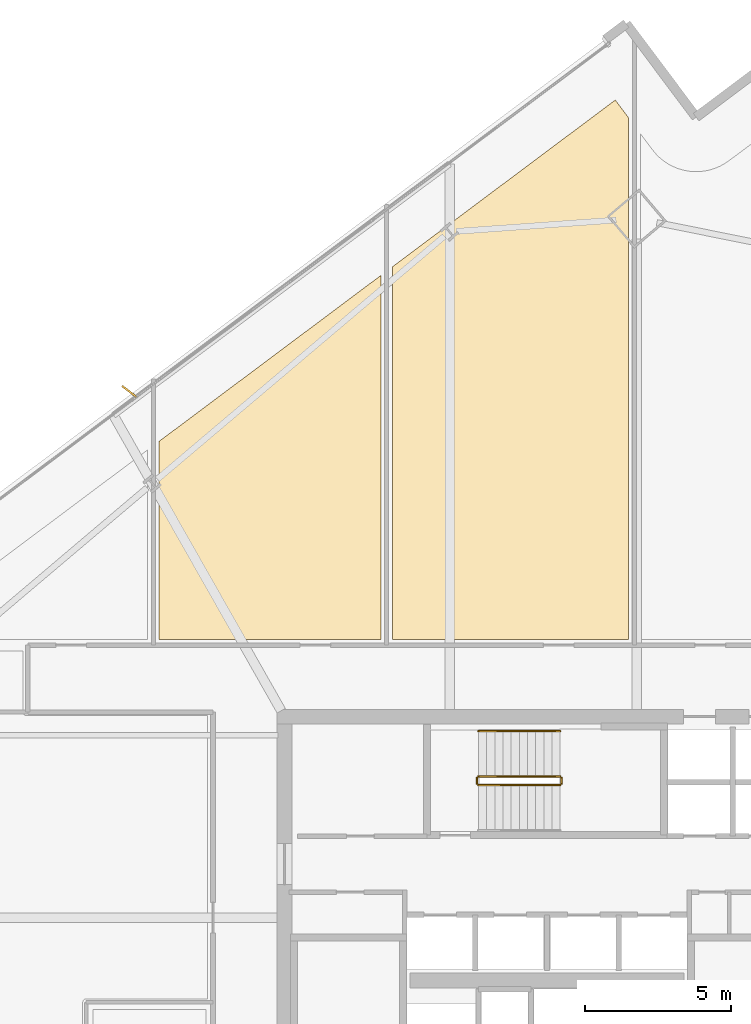
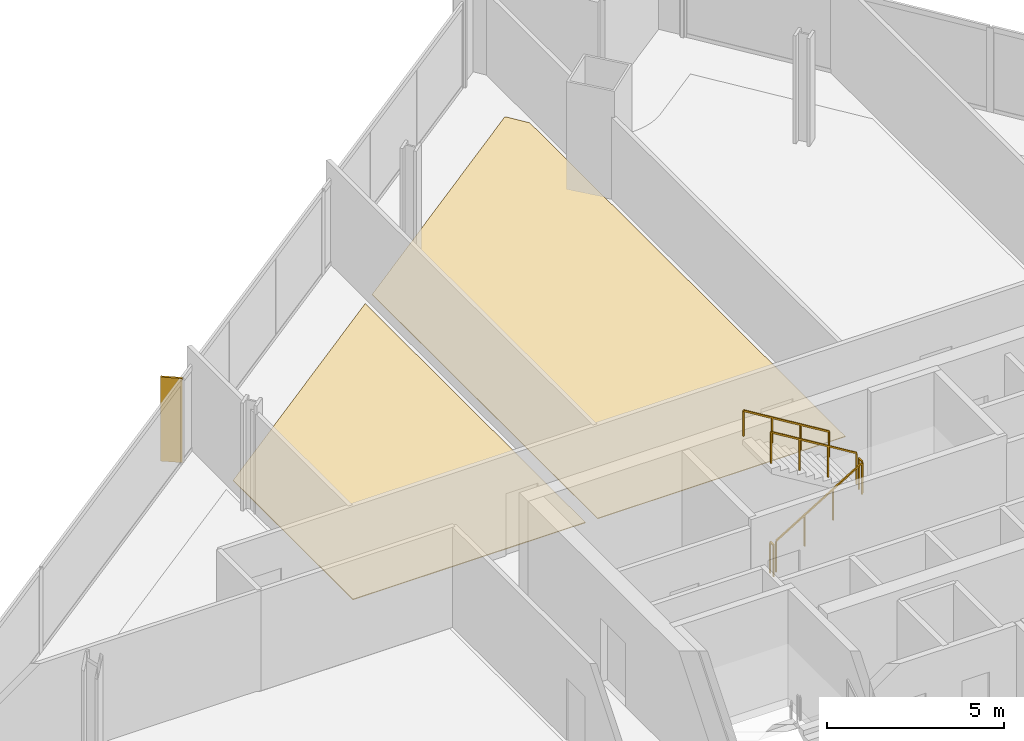
# One storey, part 31 of 32: 5 railings, 2 coverings, 1 shading device.
"""IFC4 building model written with IfcOpenShell, lengths in metres."""

import ifcopenshell
import ifcopenshell.guid

model = None  # the IFC model being written
_history = None  # IfcOwnerHistory: only IFC2X3 demands one
_inside = {}  # id of a spatial element -> (the spatial element, [elements in it])
_under = {}  # id of a project, library or spatial element -> (it, [spatial elements below it])
_declared = {}  # id of a project -> (the project, [libraries it declares])
_typed = {}  # id of a type object -> (the type object, [elements of that type])
_made_of = {}  # id of a material, layer set ... -> (it, [elements and type objects made of it])


def new_model(schema):
    """Start an empty IFC model of exactly this schema.

    Asked for "IFC4X3", IfcOpenShell would pick the latest addendum, in which some entities
    have other attributes; the version numbers below select the first issue.
    IFC2X3 requires an IfcOwnerHistory on every rooted entity: one is made here for all.
    """
    global model, _history
    if schema == "IFC4X3":
        model = ifcopenshell.file(schema_version=(4, 3, 0, 0))
    else:
        model = ifcopenshell.file(schema=schema)
    _inside.clear()
    _under.clear()
    _declared.clear()
    _typed.clear()
    _made_of.clear()
    _history = None
    if model.schema == "IFC2X3":
        org = make("IfcOrganization", Name="unknown")
        user = make(
            "IfcPersonAndOrganization",
            ThePerson=make("IfcPerson", FamilyName="unknown"),
            TheOrganization=org,
        )
        app = make(
            "IfcApplication",
            ApplicationDeveloper=org,
            Version="unknown",
            ApplicationFullName="unknown",
            ApplicationIdentifier="unknown",
        )
        _history = make(
            "IfcOwnerHistory",
            OwningUser=user,
            OwningApplication=app,
            ChangeAction="ADDED",
            CreationDate=0,
        )
    return model


def make(cls, **values):
    """One entity of the class cls with the attributes given. An attribute that is None is left unset."""
    return model.create_entity(
        cls, **{name: value for name, value in values.items() if value is not None}
    )


def rooted(cls, **values):
    """An entity with a GlobalId (a new one), such as an element, a storey or a relation."""
    return make(cls, GlobalId=ifcopenshell.guid.new(), OwnerHistory=_history, **values)


def si_unit(unit_type, name, prefix=None):
    """IfcSIUnit, for example si_unit("LENGTHUNIT", "METRE", prefix="MILLI")."""
    return make("IfcSIUnit", UnitType=unit_type, Prefix=prefix, Name=name)


def assignment(units):
    """IfcUnitAssignment: the units of a project."""
    return None if units is None else make("IfcUnitAssignment", Units=units)


def point(xyz):
    """IfcCartesianPoint."""
    return None if xyz is None else make("IfcCartesianPoint", Coordinates=xyz)


def direction(xyz):
    """IfcDirection."""
    return None if xyz is None else make("IfcDirection", DirectionRatios=xyz)


def frame(location, z_axis=None, x_axis=None):
    """IfcAxis2Placement3D, a coordinate frame: its origin and axes. An axis left out is left unset."""
    return make(
        "IfcAxis2Placement3D",
        Location=point(location),
        Axis=direction(z_axis),
        RefDirection=direction(x_axis),
    )


def frame_2d(location, x_axis=None):
    """IfcAxis2Placement2D, a coordinate frame in the plane: its origin and x axis."""
    return make(
        "IfcAxis2Placement2D", Location=point(location), RefDirection=direction(x_axis)
    )


def origin():
    """The frame at (0, 0, 0) with its axes left unset."""
    return frame((0.0, 0.0, 0.0))


def origin_2d():
    """The frame at (0, 0) in the plane with its x axis left unset."""
    return frame_2d((0.0, 0.0))


def place(relative_to, where):
    """IfcLocalPlacement: puts the frame where relative to a parent placement (None: the world)."""
    return make(
        "IfcLocalPlacement", PlacementRelTo=relative_to, RelativePlacement=where
    )


def context(
    kind, dimensions, precision=None, world=None, true_north=None, identifier=None
):
    """IfcGeometricRepresentationContext, for example the 3D "Model" context."""
    return make(
        "IfcGeometricRepresentationContext",
        ContextIdentifier=identifier,
        ContextType=kind,
        CoordinateSpaceDimension=dimensions,
        Precision=precision,
        WorldCoordinateSystem=world,
        TrueNorth=true_north,
    )


def subcontext(parent, identifier, kind, view, scale=None):
    """IfcGeometricRepresentationSubContext, for example "Body" below "Model"."""
    return make(
        "IfcGeometricRepresentationSubContext",
        ContextIdentifier=identifier,
        ContextType=kind,
        ParentContext=parent,
        TargetScale=scale,
        TargetView=view,
    )


def project(units=None, contexts=None):
    """IfcProject with its units and contexts."""
    return rooted(
        "IfcProject",
        Name="project",
        RepresentationContexts=contexts,
        UnitsInContext=assignment(units),
    )


def spatial(cls, under=None, at=None, **own):
    """A site, building, storey or space (cls), placed at a placement, below another one or the project."""
    s = rooted(cls, ObjectPlacement=at, **own)
    if under is not None:
        _under.setdefault(under.id(), (under, []))[1].append(s)
    return s


def polyline(points):
    """IfcPolyline through the points."""
    return make("IfcPolyline", Points=[point(p) for p in points])


def profile(cls, at=None, kind="AREA", **sizes):
    """A parametric profile (cls). Its sizes go by their IFC names, for example OverallWidth=200.0."""
    return make(cls, ProfileType=kind, Position=at, **sizes)


def rectangle(**sizes):
    """IfcRectangleProfileDef."""
    return profile("IfcRectangleProfileDef", **sizes)


def outline(outer, holes=None, kind="AREA"):
    """IfcArbitraryClosedProfileDef: a profile drawn as a closed curve; with holes, ...WithVoids."""
    if holes is None:
        return make("IfcArbitraryClosedProfileDef", ProfileType=kind, OuterCurve=outer)
    return make(
        "IfcArbitraryProfileDefWithVoids",
        ProfileType=kind,
        OuterCurve=outer,
        InnerCurves=holes,
    )


def extrude(swept, where, along, depth):
    """IfcExtrudedAreaSolid: the profile swept, set in the frame where, extruded along a direction by depth."""
    return make(
        "IfcExtrudedAreaSolid",
        SweptArea=swept,
        Position=where,
        ExtrudedDirection=direction(along),
        Depth=depth,
    )


def shape(context_of_items, identifier, shape_type, items):
    """IfcShapeRepresentation: the items that make up one representation, for example the "Body"."""
    return make(
        "IfcShapeRepresentation",
        ContextOfItems=context_of_items,
        RepresentationIdentifier=identifier,
        RepresentationType=shape_type,
        Items=items,
    )


def source(mapping_origin, context_of_items, identifier, shape_type, items):
    """IfcRepresentationMap: a shape defined once, which mapped items show again and again."""
    return make(
        "IfcRepresentationMap",
        MappingOrigin=mapping_origin,
        MappedRepresentation=shape(context_of_items, identifier, shape_type, items),
    )


def transform(
    local_origin,
    x_axis=None,
    y_axis=None,
    z_axis=None,
    scale=None,
    scale2=None,
    scale3=None,
    uniform=True,
):
    """IfcCartesianTransformationOperator3D, or its non-uniform kind. x_axis, y_axis, z_axis: its Axis1, 2, 3."""
    if uniform:
        return make(
            "IfcCartesianTransformationOperator3D",
            Axis1=direction(x_axis),
            Axis2=direction(y_axis),
            LocalOrigin=point(local_origin),
            Scale=scale,
            Axis3=direction(z_axis),
        )
    return make(
        "IfcCartesianTransformationOperator3DnonUniform",
        Axis1=direction(x_axis),
        Axis2=direction(y_axis),
        LocalOrigin=point(local_origin),
        Scale=scale,
        Axis3=direction(z_axis),
        Scale2=scale2,
        Scale3=scale3,
    )


def mapped(mapping_source, mapping_target):
    """IfcMappedItem: shows the shape of a source again, moved by a transform."""
    return make(
        "IfcMappedItem", MappingSource=mapping_source, MappingTarget=mapping_target
    )


def material(Name=None, Category=None):
    """IfcMaterial."""
    return make("IfcMaterial", Name=Name, Category=Category)


def layer(
    of_material, thickness, ventilated=None, Name=None, Category=None, Priority=None
):
    """IfcMaterialLayer: one layer of a wall or slab, of a material (None: an air gap)."""
    return make(
        "IfcMaterialLayer",
        Material=of_material,
        LayerThickness=thickness,
        IsVentilated=ventilated,
        Name=Name,
        Category=Category,
        Priority=Priority,
    )


def layer_set(layers, Name=None):
    """IfcMaterialLayerSet."""
    return make("IfcMaterialLayerSet", MaterialLayers=layers, LayerSetName=Name)


def made_of(thing, what):
    """Note that an element or type object is made of a material, layer set ...; save() writes the relation."""
    if what is not None:
        _made_of.setdefault(what.id(), (what, []))[1].append(thing)
    return thing


def type_object(cls, material=None, **own):
    """A type object (cls), such as IfcWallType, which elements share."""
    return made_of(rooted(cls, **own), material)


def element(
    cls,
    number,
    at=None,
    inside=None,
    cuts=None,
    type_object=None,
    material=None,
    context=None,
    identifier="Body",
    shape_type=None,
    held_by="IfcProductDefinitionShape",
    body=None,
    shapes=None,
    **own,
):
    """One element of the class cls, such as IfcWall. Its Tag is "e" and its number.

    at: its placement. inside: the storey or other place that contains it. cuts: it is an
    opening in that element (IfcRelVoidsElement). A single representation is given by context,
    identifier, shape_type and body (its items); several are given by shapes. held_by: the class
    of the entity that holds the representations. save() writes the other relations.
    """
    e = rooted(cls, Tag="e%d" % number, ObjectPlacement=at, **own)
    if body is not None:
        shapes = [shape(context, identifier, shape_type, body)]
    if shapes is not None:
        e.Representation = make(held_by, Representations=shapes)
    if inside is not None:
        _inside.setdefault(inside.id(), (inside, []))[1].append(e)
    if cuts is not None:
        rooted(
            "IfcRelVoidsElement", RelatingBuildingElement=cuts, RelatedOpeningElement=e
        )
    if type_object is not None:
        _typed.setdefault(type_object.id(), (type_object, []))[1].append(e)
    return made_of(e, material)


def aggregate(whole, parts):
    """IfcRelAggregates: a whole, such as a stair, and the parts it consists of."""
    return rooted("IfcRelAggregates", RelatingObject=whole, RelatedObjects=parts)


def save(model, path):
    """Write the relations noted so far, then the file.

    IfcRelAggregates (storeys below a building ...), IfcRelContainedInSpatialStructure (elements
    in a storey), IfcRelDefinesByType, IfcRelAssociatesMaterial and IfcRelDeclares: one each for
    every whole, place, type object, material and project.
    """
    for whole, parts in _under.values():
        aggregate(whole, parts)
    for where, things in _inside.values():
        rooted(
            "IfcRelContainedInSpatialStructure",
            RelatedElements=things,
            RelatingStructure=where,
        )
    for kind, things in _typed.values():
        rooted("IfcRelDefinesByType", RelatedObjects=things, RelatingType=kind)
    for what, things in _made_of.values():
        rooted("IfcRelAssociatesMaterial", RelatedObjects=things, RelatingMaterial=what)
    for by, libraries in _declared.values():
        rooted("IfcRelDeclares", RelatingContext=by, RelatedDefinitions=libraries)
    model.write(path)


model = new_model("IFC4")

# Units and contexts
model_context = context("Model", 3, precision=1e-05, world=origin(), true_north=direction((0.0, 1.0)))
body_context = subcontext(model_context, "Body", "Model", "MODEL_VIEW")
ifc_project = project(units=[si_unit("LENGTHUNIT", "METRE"), si_unit("AREAUNIT", "SQUARE_METRE"), si_unit("VOLUMEUNIT", "CUBIC_METRE"), si_unit("PLANEANGLEUNIT", "RADIAN"), si_unit("MASSUNIT", "GRAM", prefix="KILO")], contexts=[model_context])

# Site, building, storey
site_placement = place(None, origin())
site = spatial("IfcSite", under=ifc_project, at=site_placement, CompositionType="ELEMENT")
building_placement = place(site_placement, origin())
building = spatial("IfcBuilding", under=site, at=building_placement, Name="Haldenkirk Collegiate Tower", CompositionType="ELEMENT")
storey_placement = place(building_placement, frame((0.0, 0.0, 151.949951171875)))
storey = spatial("IfcBuildingStorey", under=building, at=storey_placement, Name="L37", CompositionType="ELEMENT", Elevation=151.949951171875)

# Coverings
ifc_material_1 = material(Name="Polished collegiate terrazzo", Category="concrete")
ifc_layer_1 = layer(ifc_material_1, 0.02490234375)
ifc_layer_set_1 = layer_set([ifc_layer_1], Name="Polished collegiate terrazzo")
covering_type_1 = type_object("IfcCoveringType", Name="COV-FLOOR-TERRAZZO", PredefinedType="FLOORING", material=ifc_layer_set_1)
covering_1_placement = place(storey_placement, origin())
element("IfcCovering", 1, at=covering_1_placement, inside=storey, type_object=covering_type_1, Name="L37 academic room finish 06", PredefinedType="FLOORING", context=body_context, shape_type="SweptSolid", body=[
    extrude(outline(polyline([(30.300048828125, 49.123291015625), (30.300048828125, 36.64990234375), (22.699951171875, 36.64990234375), (22.699951171875, 43.437744140625), (30.300048828125, 49.123291015625)])), origin(), (0.0, 0.0, 1.0), 0.025146484375),
])
ifc_material_2 = material(Name="Engineered collegiate oak acoustic flooring", Category="wood")
ifc_layer_2 = layer(ifc_material_2, 0.02197265625)
ifc_layer_set_2 = layer_set([ifc_layer_2], Name="Engineered collegiate oak acoustic flooring")
covering_type_2 = type_object("IfcCoveringType", Name="COV-FLOOR-TIMBER", PredefinedType="FLOORING", material=ifc_layer_set_2)
covering_2_placement = place(storey_placement, origin())
element("IfcCovering", 2, at=covering_2_placement, inside=storey, type_object=covering_type_2, Name="L37 academic room finish 07", PredefinedType="FLOORING", context=body_context, shape_type="SweptSolid", body=[
    extrude(outline(polyline([(38.800048828125, 54.5263671875), (38.800048828125, 36.64990234375), (30.699951171875, 36.64990234375), (30.699951171875, 49.422607421875), (38.341552734375, 55.13916015625), (38.800048828125, 54.5263671875)])), origin(), (0.0, 0.0, 1.0), 0.02197265625),
])

# Railings
ifc_material_3 = material(Name="Painted architectural tubular steel", Category="steel")
railing_type_1 = type_object("IfcRailingType", Name="RLG-STAIR-GUARD-1100", PredefinedType="BALUSTRADE", material=ifc_material_3)
railing_1_placement = place(storey_placement, frame((33.64990234375, 31.64990234375, 0.17041015625)))
element("IfcRailing", 3, at=railing_1_placement, inside=storey, type_object=railing_type_1, Name="L37 ST-3 stair guard 1", PredefinedType="BALUSTRADE", context=body_context, shape_type="SweptSolid", body=[
    extrude(rectangle(XDim=0.048095703125, YDim=0.048095703125, at=origin_2d()), frame((0.0, 0.0, 1.076171875), z_axis=(0.854169791009, 0.0, 0.51999420009), x_axis=(0.0, 1.0, 0.0)), (0.0, 0.0, 1.0), 3.278076171875),
    extrude(rectangle(XDim=0.0419921875, YDim=0.0419921875, at=origin_2d()), origin(), (0.0, 0.0, 1.0), 1.052001953125),
    extrude(rectangle(XDim=0.0419921875, YDim=0.0419921875, at=origin_2d()), frame((0.933349609375, 0.0, 0.568115234375)), (0.0, 0.0, 1.0), 1.052001953125),
    extrude(rectangle(XDim=0.0419921875, YDim=0.0419921875, at=origin_2d()), frame((1.86669921875, 0.0, 1.136474609375)), (0.0, 0.0, 1.0), 1.052001953125),
    extrude(rectangle(XDim=0.0419921875, YDim=0.0419921875, at=origin_2d()), frame((2.800048828125, 0.0, 1.70458984375)), (0.0, 0.0, 1.0), 1.052001953125),
])
railing_2_placement = place(storey_placement, frame((36.5, 31.699951171875, 1.875)))
element("IfcRailing", 4, at=railing_2_placement, inside=storey, type_object=railing_type_1, Name="L37 ST-3 stair guard 2", PredefinedType="BALUSTRADE", context=body_context, shape_type="SweptSolid", body=[
    extrude(rectangle(XDim=0.048095703125, YDim=0.048095703125, at=origin_2d()), frame((0.0, 0.0, 1.076171875), z_axis=(0.0, 1.0, 0.0), x_axis=(-1.0, 0.0, 0.0)), (0.0, 0.0, 1.0), 0.199951171875),
    extrude(rectangle(XDim=0.0419921875, YDim=0.0419921875, at=origin_2d()), origin(), (0.0, 0.0, 1.0), 1.052001953125),
    extrude(rectangle(XDim=0.0419921875, YDim=0.0419921875, at=origin_2d()), frame((0.0, 0.199951171875, 0.0)), (0.0, 0.0, 1.0), 1.052001953125),
])
railing_3_placement = place(storey_placement, frame((36.449951171875, 31.949951171875, 2.04541015625)))
element("IfcRailing", 5, at=railing_3_placement, inside=storey, type_object=railing_type_1, Name="L37 ST-3 stair guard 3", PredefinedType="BALUSTRADE", context=body_context, shape_type="SweptSolid", body=[
    extrude(rectangle(XDim=0.048095703125, YDim=0.048095703125, at=origin_2d()), frame((0.0, 0.0, 1.076171875), z_axis=(-0.854169791009, 0.0, 0.51999420009), x_axis=(0.0, -1.0, 0.0)), (0.0, 0.0, 1.0), 3.278076171875),
    extrude(rectangle(XDim=0.0419921875, YDim=0.0419921875, at=origin_2d()), origin(), (0.0, 0.0, 1.0), 1.052001953125),
    extrude(rectangle(XDim=0.0419921875, YDim=0.0419921875, at=origin_2d()), frame((-0.933349609375, 0.0, 0.568115234375)), (0.0, 0.0, 1.0), 1.052001953125),
    extrude(rectangle(XDim=0.0419921875, YDim=0.0419921875, at=origin_2d()), frame((-1.86669921875, 0.0, 1.136474609375)), (0.0, 0.0, 1.0), 1.052001953125),
    extrude(rectangle(XDim=0.0419921875, YDim=0.0419921875, at=origin_2d()), frame((-2.800048828125, 0.0, 1.70458984375)), (0.0, 0.0, 1.0), 1.052001953125),
])
railing_4_placement = place(storey_placement, frame((33.60009765625, 31.699951171875, 0.0)))
element("IfcRailing", 6, at=railing_4_placement, inside=storey, type_object=railing_type_1, Name="L37 ST-3 stair guard 4", PredefinedType="BALUSTRADE", context=body_context, shape_type="SweptSolid", body=[
    extrude(rectangle(XDim=0.048095703125, YDim=0.048095703125, at=origin_2d()), frame((0.0, 0.0, 1.076171875), z_axis=(0.0, 1.0, 0.0), x_axis=(-1.0, 0.0, 0.0)), (0.0, 0.0, 1.0), 0.199951171875),
    extrude(rectangle(XDim=0.0419921875, YDim=0.0419921875, at=origin_2d()), origin(), (0.0, 0.0, 1.0), 1.052001953125),
    extrude(rectangle(XDim=0.0419921875, YDim=0.0419921875, at=origin_2d()), frame((0.0, 0.199951171875, 0.0)), (0.0, 0.0, 1.0), 1.052001953125),
])
railing_type_2 = type_object("IfcRailingType", Name="RLG-STAIR-HANDRAIL-900", PredefinedType="HANDRAIL", material=ifc_material_3)
railing_5_placement = place(storey_placement, frame((36.449951171875, 33.5, 2.04541015625)))
element("IfcRailing", 7, at=railing_5_placement, inside=storey, type_object=railing_type_2, Name="L37 ST-3 stair handrail 2", PredefinedType="HANDRAIL", context=body_context, shape_type="SweptSolid", body=[
    extrude(rectangle(XDim=0.048095703125, YDim=0.048095703125, at=origin_2d()), frame((0.0, 0.0, 0.8759765625), z_axis=(-0.854169791009, 0.0, 0.51999420009), x_axis=(0.0, -1.0, 0.0)), (0.0, 0.0, 1.0), 3.278076171875),
    extrude(rectangle(XDim=0.0419921875, YDim=0.0419921875, at=origin_2d()), origin(), (0.0, 0.0, 1.0), 0.851806640625),
    extrude(rectangle(XDim=0.0419921875, YDim=0.0419921875, at=origin_2d()), frame((-0.933349609375, 0.0, 0.568115234375)), (0.0, 0.0, 1.0), 0.851806640625),
    extrude(rectangle(XDim=0.0419921875, YDim=0.0419921875, at=origin_2d()), frame((-1.86669921875, 0.0, 1.136474609375)), (0.0, 0.0, 1.0), 0.851806640625),
    extrude(rectangle(XDim=0.0419921875, YDim=0.0419921875, at=origin_2d()), frame((-2.800048828125, 0.0, 1.70458984375)), (0.0, 0.0, 1.0), 0.851806640625),
])

# Shading device
ifc_material_4 = material(Name="Anodised architectural bronze aluminium", Category="aluminium")
ifc_layer_3 = layer(ifc_material_4, 0.06494140625)
ifc_layer_set_3 = layer_set([ifc_layer_3], Name="Anodised architectural bronze aluminium")
shading_device_type = type_object("IfcShadingDeviceType", Name="SHD-FIN-BRONZE-620", PredefinedType="USERDEFINED", material=ifc_layer_set_3)
shared_shape = source(origin(), body_context, "Body", "SweptSolid", [
    extrude(rectangle(XDim=0.6201171875, YDim=0.06494140625, at=origin_2d()), origin(), (0.0, 0.0, 1.0), 2.910888671875),
])
shading_device_placement = place(storey_placement, frame((21.67431640625, 45.1494140625, 0.0), z_axis=(0.0, 0.0, 1.0), x_axis=(-0.796529918024, 0.604599114862, 0.0)))
element("IfcShadingDevice", 8, at=shading_device_placement, inside=storey, type_object=shading_device_type, Name="L37 folded bronze solar fin 1", ObjectType="FIN", PredefinedType="USERDEFINED", context=body_context, shape_type="MappedRepresentation", body=[
    mapped(shared_shape, transform((0.0, 0.0, 0.0), x_axis=(1.0, 0.0, 0.0), y_axis=(0.0, 1.0, 0.0), z_axis=(0.0, 0.0, 1.0), scale=1.0)),
])

save(model, "model.ifc")
